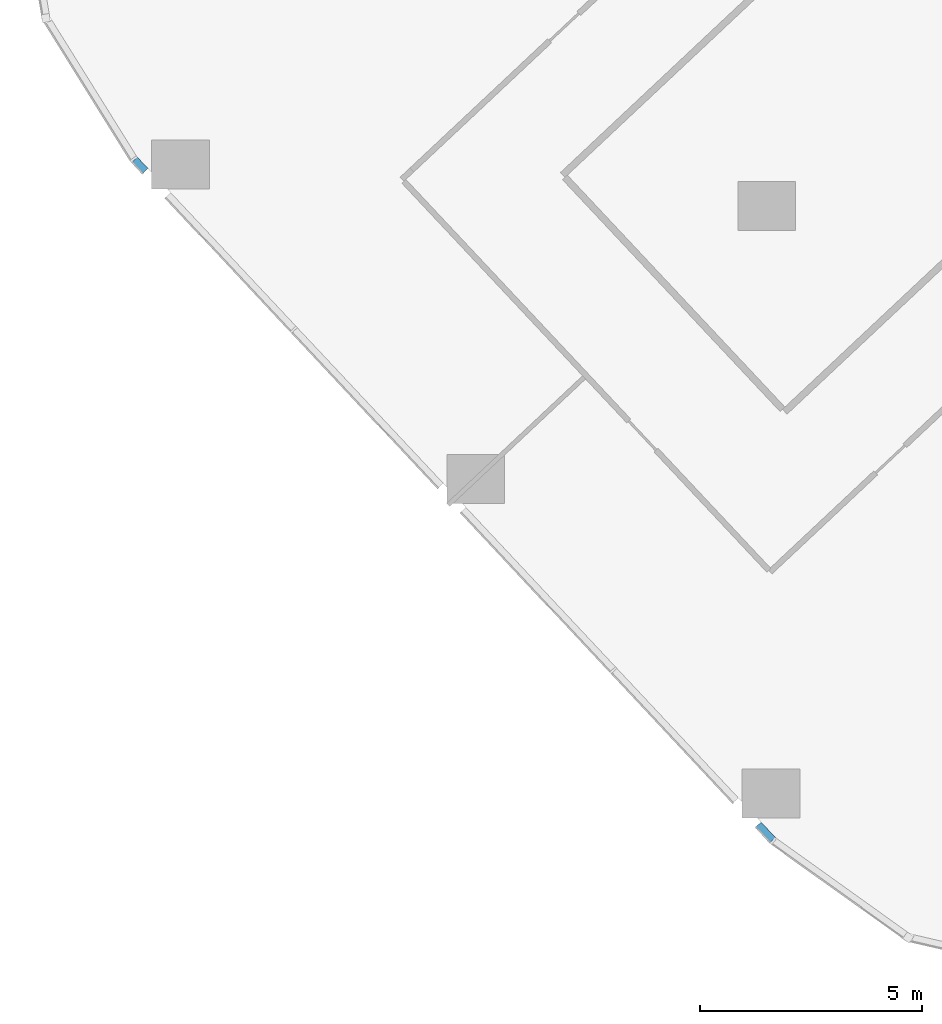
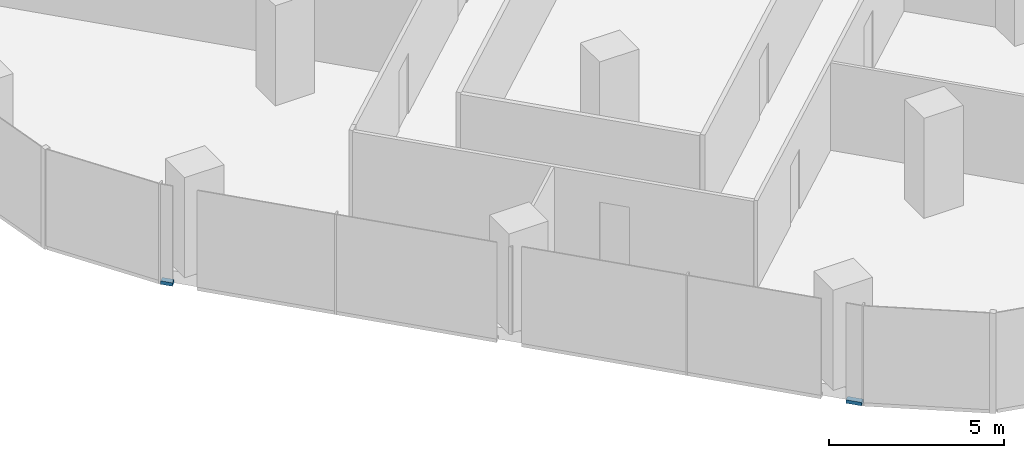
# One storey, part 15 of 34: 2 members, 1 element without a shape of its own.
"""IFC4 building model written with IfcOpenShell, lengths in metres."""

from ifc_helpers import new_model, si_unit, direction, frame, origin, origin_2d, place, context, subcontext, project, spatial, rectangle, extrude, material, material_profile, profile_set, type_object, element, aggregate, save


model = new_model("IFC4")

# Units and contexts
model_context = context("Model", 3, precision=1e-05, world=origin(), true_north=direction((0.0, 1.0)))
body_context = subcontext(model_context, "Body", "Model", "MODEL_VIEW")
ifc_project = project(units=[si_unit("LENGTHUNIT", "METRE"), si_unit("AREAUNIT", "SQUARE_METRE"), si_unit("VOLUMEUNIT", "CUBIC_METRE"), si_unit("PLANEANGLEUNIT", "RADIAN"), si_unit("MASSUNIT", "GRAM", prefix="KILO")], contexts=[model_context])

# Site, building, storey
site_placement = place(None, origin())
site = spatial("IfcSite", under=ifc_project, at=site_placement, CompositionType="ELEMENT")
building_placement = place(site_placement, origin())
building = spatial("IfcBuilding", under=site, at=building_placement, Name="Orlundy Tower", CompositionType="ELEMENT")
storey_placement = place(building_placement, frame((0.0, 0.0, 47.800048828125)))
storey = spatial("IfcBuildingStorey", under=building, at=storey_placement, Name="L10", CompositionType="ELEMENT", Elevation=47.800048828125)

# Curtain wall, members
ifc_material_1 = material(Name="Aluminium bronze anodised", Category="aluminium")
curtain_wall_type = type_object("IfcCurtainWallType", Name="CW1 wall", PredefinedType="NOTDEFINED", material=ifc_material_1)
curtain_wall_placement = place(storey_placement, origin())
curtain_wall = element("IfcCurtainWall", 1, at=curtain_wall_placement, inside=storey, type_object=curtain_wall_type, Name="CW1 run 023", PredefinedType="NOTDEFINED")
ifc_material_2 = material(Name="Aluminium bronze anodised", Category="aluminium")
ifc_material_profile = material_profile(ifc_material_2, rectangle(XDim=0.179931640625, YDim=0.1201171875, at=origin_2d()), Name="CW1 transom 180x120")
ifc_profile_set = profile_set([ifc_material_profile], Name="Aluminium bronze anodised")
member_type = type_object("IfcMemberType", Name="CW1 transom 180x120", PredefinedType="USERDEFINED", material=ifc_profile_set)
member_1_placement = place(storey_placement, frame((-37.019775390625, -49.09765625, -0.360107421875), z_axis=(-0.683941128881, 0.72953720414, 0.0), x_axis=(-0.72953720414, -0.683941128881, 0.0)))
member_1 = element("IfcMember", 2, at=member_1_placement, type_object=member_type, Name="CW1 transom", ObjectType="TRANSOM", PredefinedType="USERDEFINED", context=body_context, shape_type="SweptSolid", body=[
    extrude(rectangle(XDim=0.179931640625, YDim=0.1201171875, at=origin_2d()), origin(), (0.0, 0.0, 1.0), 0.47119140625),
])
member_2_placement = place(storey_placement, frame((-51.125, -34.059814453125, -0.360107421875), z_axis=(-0.684080292396, 0.729406713401, 0.0), x_axis=(-0.729406713401, -0.684080292396, 0.0)))
member_2 = element("IfcMember", 3, at=member_2_placement, type_object=member_type, Name="CW1 transom", ObjectType="TRANSOM", PredefinedType="USERDEFINED", context=body_context, shape_type="SweptSolid", body=[
    extrude(rectangle(XDim=0.179931640625, YDim=0.1201171875, at=origin_2d()), origin(), (0.0, 0.0, 1.0), 0.35009765625),
])
aggregate(curtain_wall, [member_1, member_2])

save(model, "model.ifc")
